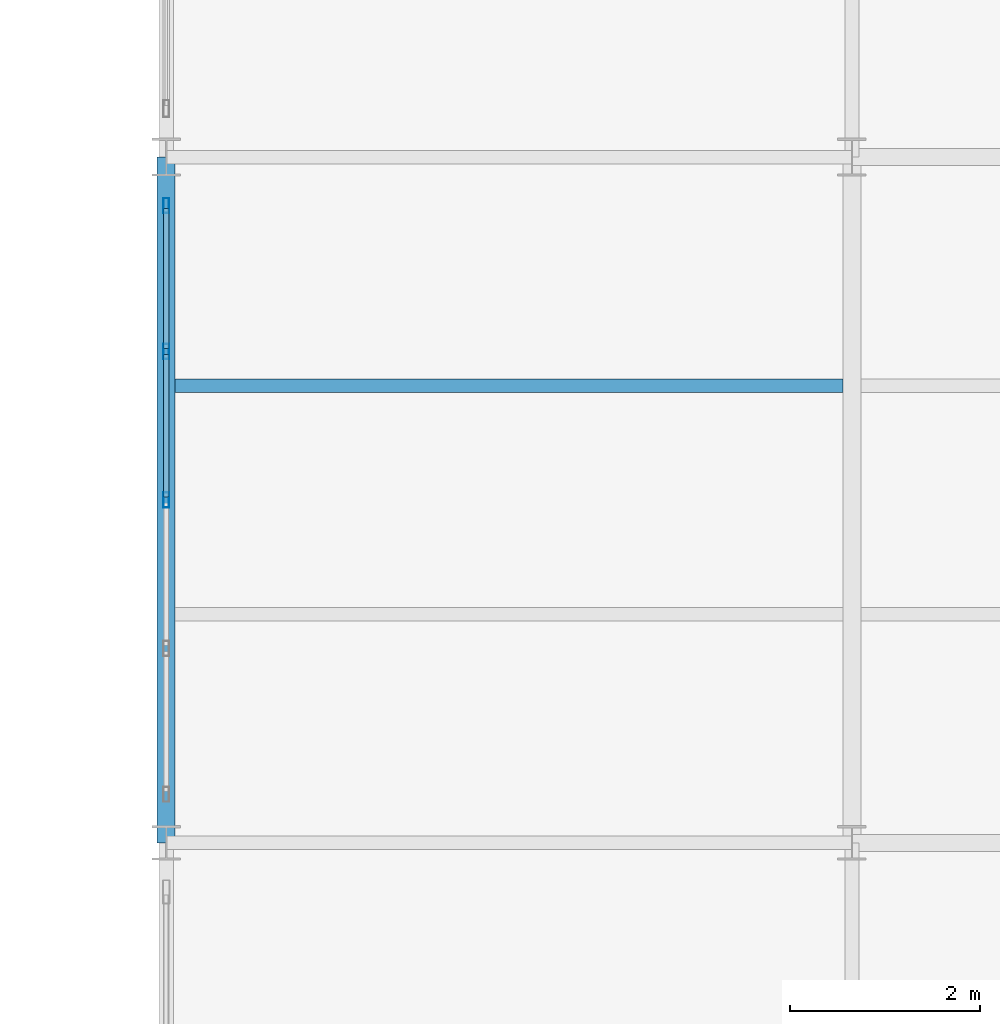
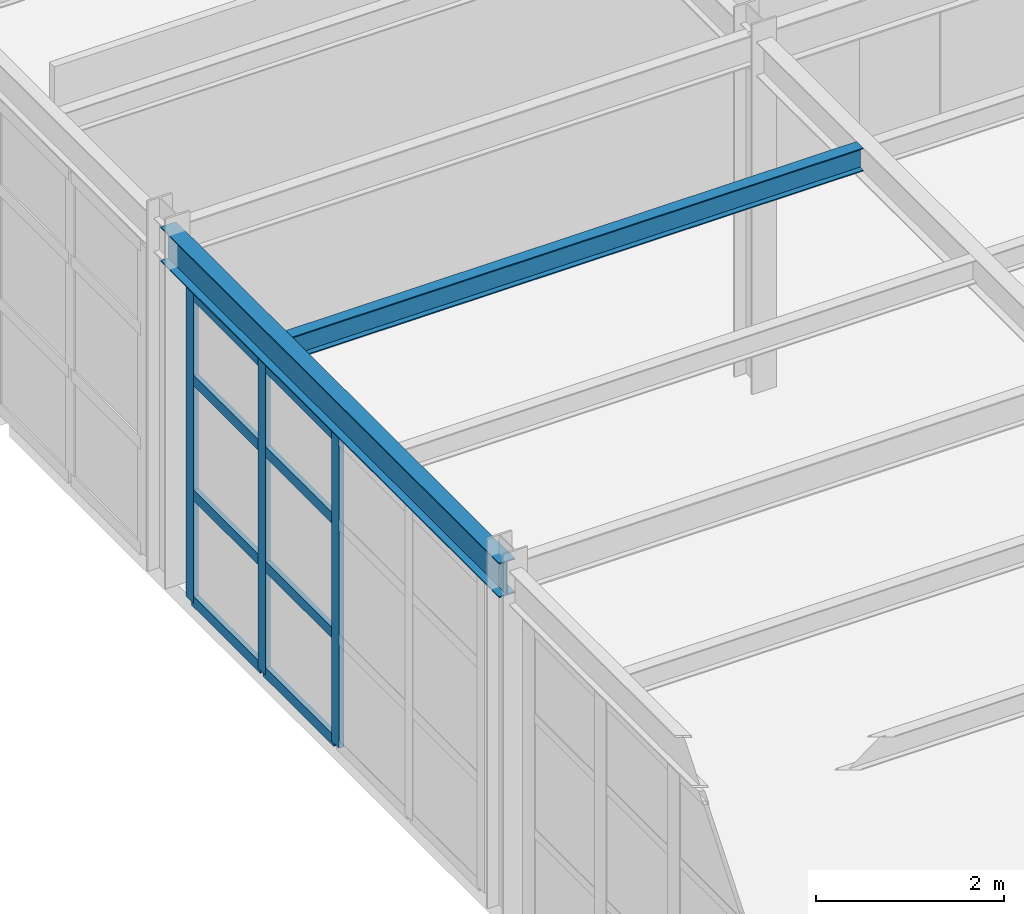
# One storey, part 34 of 126: 11 members, 2 beams, 1 element without a shape of its own.
"""IFC4 building model written with IfcOpenShell, lengths in metres."""

from ifc_helpers import new_model, si_unit, direction, frame, origin, origin_2d, place, context, subcontext, project, spatial, hollow_rectangle, i_section, extrude, material, layer, layer_set, material_profile, profile_set, type_object, element, aggregate, save


model = new_model("IFC4")

# Units and contexts
model_context = context("Model", 3, precision=1e-05, world=origin(), true_north=direction((0.0, 1.0)))
body_context = subcontext(model_context, "Body", "Model", "MODEL_VIEW")
ifc_project = project(units=[si_unit("LENGTHUNIT", "METRE"), si_unit("AREAUNIT", "SQUARE_METRE"), si_unit("VOLUMEUNIT", "CUBIC_METRE"), si_unit("PLANEANGLEUNIT", "RADIAN"), si_unit("MASSUNIT", "GRAM", prefix="KILO")], contexts=[model_context])

# Site, building, storey
site_placement = place(None, origin())
site = spatial("IfcSite", under=ifc_project, at=site_placement, CompositionType="ELEMENT")
building_placement = place(site_placement, origin())
building = spatial("IfcBuilding", under=site, at=building_placement, Name="Solvadek Multi-Sports Hall", CompositionType="ELEMENT")
storey_placement = place(building_placement, frame((0.0, 0.0, 9.60009765625)))
storey = spatial("IfcBuildingStorey", under=building, at=storey_placement, Name="L02", CompositionType="ELEMENT", Elevation=9.60009765625)

# Curtain wall, members
ifc_material_1 = material(Name="Anodised aluminium", Category="aluminium")
ifc_layer = layer(ifc_material_1, 0.159912109375, Name="Anodised aluminium")
ifc_layer_set = layer_set([ifc_layer], Name="Anodised aluminium")
curtain_wall_type = type_object("IfcCurtainWallType", Name="ENV-CW-624X403", PredefinedType="USERDEFINED", material=ifc_layer_set)
curtain_wall_placement = place(storey_placement, origin())
curtain_wall = element("IfcCurtainWall", 1, at=curtain_wall_placement, inside=storey, type_object=curtain_wall_type, Name="L02 Perimeter Bay Curtain Wall #191", ObjectType="CURTAIN WALL", PredefinedType="USERDEFINED")
ifc_material_profile_1 = material_profile(ifc_material_1, hollow_rectangle(XDim=0.06005859375, YDim=0.159912109375, WallThickness=0.00390625, at=origin_2d()), Name="ALU-M 160x60x4")
ifc_profile_set_1 = profile_set([ifc_material_profile_1], Name="Anodised aluminium")
member_type_1 = type_object("IfcMemberType", Name="ENV-CWM-01", PredefinedType="MULLION", material=ifc_profile_set_1)
member_1_placement = place(storey_placement, frame((57.60009765625, 31.199951171875, 0.0), z_axis=(0.0, 0.0, 1.0), x_axis=(-1.0, 0.0, 0.0)))
member_1 = element("IfcMember", 2, at=member_1_placement, type_object=member_type_1, Name="CW-43 mullion 3", PredefinedType="MULLION", context=body_context, shape_type="SweptSolid", body=[
    extrude(hollow_rectangle(XDim=0.06005859375, YDim=0.159912109375, WallThickness=0.00390625, at=origin_2d()), origin(), (0.0, 0.0, 1.0), 4.02490234375),
])
member_2_placement = place(storey_placement, frame((57.60009765625, 32.760009765625, 0.0), z_axis=(0.0, 0.0, 1.0), x_axis=(-1.0, 0.0, 0.0)))
member_2 = element("IfcMember", 3, at=member_2_placement, type_object=member_type_1, Name="CW-43 mullion 4", PredefinedType="MULLION", context=body_context, shape_type="SweptSolid", body=[
    extrude(hollow_rectangle(XDim=0.06005859375, YDim=0.159912109375, WallThickness=0.00390625, at=origin_2d()), origin(), (0.0, 0.0, 1.0), 4.02490234375),
])
member_3_placement = place(storey_placement, frame((57.60009765625, 34.2900390625, 0.0), z_axis=(0.0, 0.0, 1.0), x_axis=(-1.0, 0.0, 0.0)))
member_3 = element("IfcMember", 4, at=member_3_placement, type_object=member_type_1, Name="CW-43 mullion 5", PredefinedType="MULLION", context=body_context, shape_type="SweptSolid", body=[
    extrude(hollow_rectangle(XDim=0.06005859375, YDim=0.159912109375, WallThickness=0.00390625, at=origin_2d()), origin(), (0.0, 0.0, 1.0), 4.02490234375),
])
ifc_material_profile_2 = material_profile(ifc_material_1, hollow_rectangle(XDim=0.06005859375, YDim=0.139892578125, WallThickness=0.00390625, at=origin_2d()), Name="ALU-T 140x60x4")
ifc_profile_set_2 = profile_set([ifc_material_profile_2], Name="Anodised aluminium")
member_type_2 = type_object("IfcMemberType", Name="ENV-CWT-02", PredefinedType="USERDEFINED", material=ifc_profile_set_2)
member_4_placement = place(storey_placement, frame((57.60009765625, 31.22998046875, 0.02978515625), z_axis=(0.0, 1.0, 0.0), x_axis=(-1.0, 0.0, 0.0)))
member_4 = element("IfcMember", 5, at=member_4_placement, type_object=member_type_2, Name="CW-43 transom 3.1", ObjectType="TRANSOM", PredefinedType="USERDEFINED", context=body_context, shape_type="SweptSolid", body=[
    extrude(hollow_rectangle(XDim=0.06005859375, YDim=0.139892578125, WallThickness=0.00390625, at=origin_2d()), origin(), (0.0, 0.0, 1.0), 1.5),
])
member_5_placement = place(storey_placement, frame((57.60009765625, 31.22998046875, 1.408935546875), z_axis=(0.0, 1.0, 0.0), x_axis=(-1.0, 0.0, 0.0)))
member_5 = element("IfcMember", 6, at=member_5_placement, type_object=member_type_2, Name="CW-43 transom 3.2", ObjectType="TRANSOM", PredefinedType="USERDEFINED", context=body_context, shape_type="SweptSolid", body=[
    extrude(hollow_rectangle(XDim=0.06005859375, YDim=0.139892578125, WallThickness=0.00390625, at=origin_2d()), origin(), (0.0, 0.0, 1.0), 1.5),
])
member_6_placement = place(storey_placement, frame((57.60009765625, 31.22998046875, 2.89794921875), z_axis=(0.0, 1.0, 0.0), x_axis=(-1.0, 0.0, 0.0)))
member_6 = element("IfcMember", 7, at=member_6_placement, type_object=member_type_2, Name="CW-43 transom 3.3", ObjectType="TRANSOM", PredefinedType="USERDEFINED", context=body_context, shape_type="SweptSolid", body=[
    extrude(hollow_rectangle(XDim=0.06005859375, YDim=0.139892578125, WallThickness=0.00390625, at=origin_2d()), origin(), (0.0, 0.0, 1.0), 1.5),
])
member_7_placement = place(storey_placement, frame((57.60009765625, 31.22998046875, 3.994873046875), z_axis=(0.0, 1.0, 0.0), x_axis=(-1.0, 0.0, 0.0)))
member_7 = element("IfcMember", 8, at=member_7_placement, type_object=member_type_2, Name="CW-43 transom 3.4", ObjectType="TRANSOM", PredefinedType="USERDEFINED", context=body_context, shape_type="SweptSolid", body=[
    extrude(hollow_rectangle(XDim=0.06005859375, YDim=0.139892578125, WallThickness=0.00390625, at=origin_2d()), origin(), (0.0, 0.0, 1.0), 1.5),
])
member_8_placement = place(storey_placement, frame((57.60009765625, 32.7900390625, 0.02978515625), z_axis=(0.0, 1.0, 0.0), x_axis=(-1.0, 0.0, 0.0)))
member_8 = element("IfcMember", 9, at=member_8_placement, type_object=member_type_2, Name="CW-43 transom 4.1", ObjectType="TRANSOM", PredefinedType="USERDEFINED", context=body_context, shape_type="SweptSolid", body=[
    extrude(hollow_rectangle(XDim=0.06005859375, YDim=0.139892578125, WallThickness=0.00390625, at=origin_2d()), origin(), (0.0, 0.0, 1.0), 1.469970703125),
])
member_9_placement = place(storey_placement, frame((57.60009765625, 32.7900390625, 1.408935546875), z_axis=(0.0, 1.0, 0.0), x_axis=(-1.0, 0.0, 0.0)))
member_9 = element("IfcMember", 10, at=member_9_placement, type_object=member_type_2, Name="CW-43 transom 4.2", ObjectType="TRANSOM", PredefinedType="USERDEFINED", context=body_context, shape_type="SweptSolid", body=[
    extrude(hollow_rectangle(XDim=0.06005859375, YDim=0.139892578125, WallThickness=0.00390625, at=origin_2d()), origin(), (0.0, 0.0, 1.0), 1.469970703125),
])
member_10_placement = place(storey_placement, frame((57.60009765625, 32.7900390625, 2.89794921875), z_axis=(0.0, 1.0, 0.0), x_axis=(-1.0, 0.0, 0.0)))
member_10 = element("IfcMember", 11, at=member_10_placement, type_object=member_type_2, Name="CW-43 transom 4.3", ObjectType="TRANSOM", PredefinedType="USERDEFINED", context=body_context, shape_type="SweptSolid", body=[
    extrude(hollow_rectangle(XDim=0.06005859375, YDim=0.139892578125, WallThickness=0.00390625, at=origin_2d()), origin(), (0.0, 0.0, 1.0), 1.469970703125),
])
member_11_placement = place(storey_placement, frame((57.60009765625, 32.7900390625, 3.994873046875), z_axis=(0.0, 1.0, 0.0), x_axis=(-1.0, 0.0, 0.0)))
member_11 = element("IfcMember", 12, at=member_11_placement, type_object=member_type_2, Name="CW-43 transom 4.4", ObjectType="TRANSOM", PredefinedType="USERDEFINED", context=body_context, shape_type="SweptSolid", body=[
    extrude(hollow_rectangle(XDim=0.06005859375, YDim=0.139892578125, WallThickness=0.00390625, at=origin_2d()), origin(), (0.0, 0.0, 1.0), 1.469970703125),
])
aggregate(curtain_wall, [member_1, member_2, member_3, member_4, member_5, member_6, member_7, member_8, member_9, member_10, member_11])

# Beams
ifc_material_2 = material(Name="Steel E350 (350 MPa)", Category="steel")
ifc_material_profile_3 = material_profile(ifc_material_2, i_section(OverallWidth=0.18994140625, OverallDepth=0.449951171875, WebThickness=0.009521484375, FlangeThickness=0.0146484375, at=origin_2d()), Name="NPB 450")
ifc_profile_set_3 = profile_set([ifc_material_profile_3], Name="Steel E350 (350 MPa)")
beam_type_1 = type_object("IfcBeamType", Name="STR-BM-NPB450", PredefinedType="BEAM", material=ifc_profile_set_3)
beam_1_placement = place(storey_placement, frame((57.60009765625, 27.60009765625, 4.3349609375), z_axis=(0.0, 1.0, 0.0), x_axis=(-1.0, 0.0, 0.0)))
element("IfcBeam", 13, at=beam_1_placement, inside=storey, type_object=beam_type_1, Name="L02 Girder B-08 #1525", PredefinedType="BEAM", context=body_context, shape_type="SweptSolid", body=[
    extrude(i_section(OverallWidth=0.18994140625, OverallDepth=0.449951171875, WebThickness=0.009521484375, FlangeThickness=0.0146484375, at=origin_2d()), origin(), (0.0, 0.0, 1.0), 7.199951171875),
])
ifc_material_profile_4 = material_profile(ifc_material_2, i_section(OverallWidth=0.139892578125, OverallDepth=0.300048828125, WebThickness=0.0078125, FlangeThickness=0.01318359375, at=origin_2d()), Name="ISMB 300")
ifc_profile_set_4 = profile_set([ifc_material_profile_4], Name="Steel E350 (350 MPa)")
beam_type_2 = type_object("IfcBeamType", Name="STR-JST-ISMB300", PredefinedType="JOIST", material=ifc_profile_set_4)
beam_2_placement = place(storey_placement, frame((57.695068359375, 32.39990234375, 4.409912109375), z_axis=(1.0, 0.0, 0.0), x_axis=(0.0, 1.0, 0.0)))
element("IfcBeam", 14, at=beam_2_placement, inside=storey, type_object=beam_type_2, Name="L02 Composite Joist J-03 #788", PredefinedType="JOIST", context=body_context, shape_type="SweptSolid", body=[
    extrude(i_section(OverallWidth=0.139892578125, OverallDepth=0.300048828125, WebThickness=0.0078125, FlangeThickness=0.01318359375, at=origin_2d()), origin(), (0.0, 0.0, 1.0), 7.010009765625),
])

save(model, "model.ifc")
